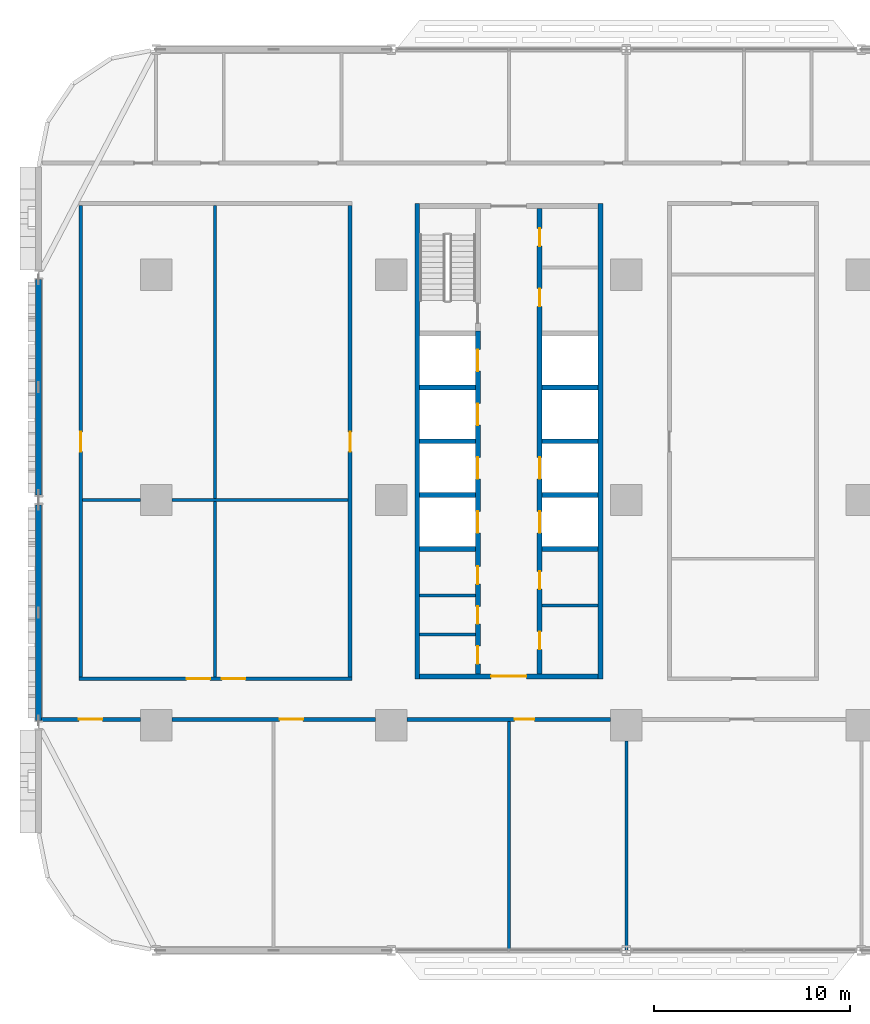
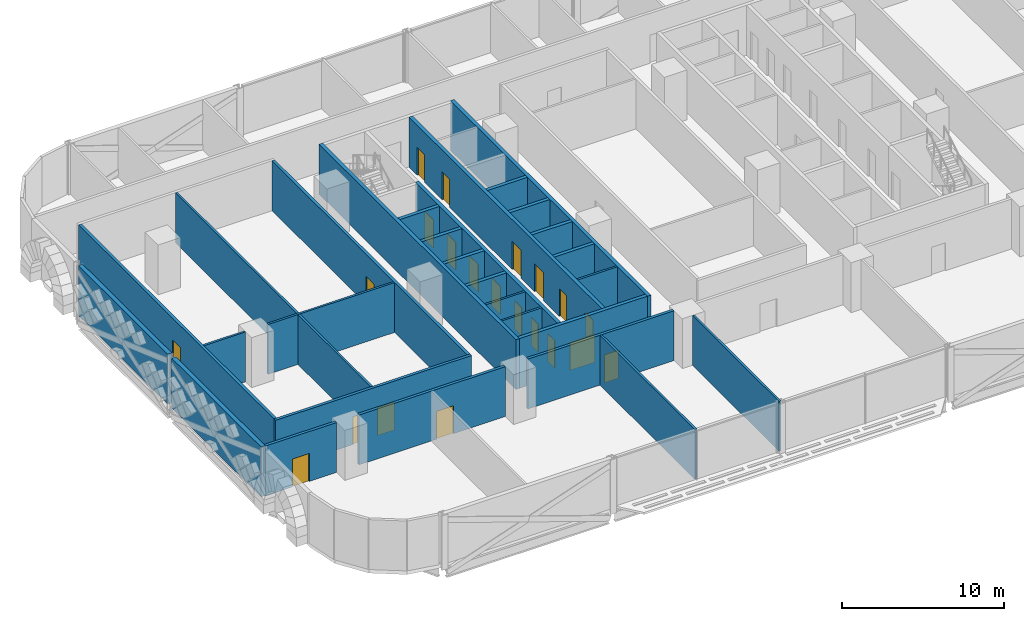
# One storey, part 10 of 29: 29 walls, 21 doors, 21 openings.
"""IFC4 building model written with IfcOpenShell, lengths in metres."""

from ifc_helpers import new_model, si_unit, direction, frame, frame_2d, origin, place, context, subcontext, project, spatial, rectangle, extrude, material, layer, layer_set, type_object, element, fill, save


model = new_model("IFC4")

# Units and contexts
model_context = context("Model", 3, precision=1e-05, world=origin(), true_north=direction((0.0, 1.0)))
body_context = subcontext(model_context, "Body", "Model", "MODEL_VIEW")
ifc_project = project(units=[si_unit("LENGTHUNIT", "METRE"), si_unit("AREAUNIT", "SQUARE_METRE"), si_unit("VOLUMEUNIT", "CUBIC_METRE"), si_unit("PLANEANGLEUNIT", "RADIAN"), si_unit("MASSUNIT", "GRAM", prefix="KILO")], contexts=[model_context])

# Site, building, storey
site_placement = place(None, origin())
site = spatial("IfcSite", under=ifc_project, at=site_placement, CompositionType="ELEMENT")
building_placement = place(site_placement, origin())
building = spatial("IfcBuilding", under=site, at=building_placement, Name="Mahtab Terrace Research Tower", CompositionType="ELEMENT")
storey_placement = place(building_placement, frame((0.0, 0.0, 37.300048828125)))
storey = spatial("IfcBuildingStorey", under=building, at=storey_placement, Name="L08", CompositionType="ELEMENT", Elevation=37.300048828125)

# Walls
ifc_material_1 = material(Name="Gypsum board partition")
ifc_layer_1 = layer(ifc_material_1, 0.14990234375)
ifc_layer_set_1 = layer_set([ifc_layer_1], Name="Core partition 150")
wall_type_1 = type_object("IfcWallType", Name="Core partition 150", PredefinedType="PARTITIONING", material=ifc_layer_set_1)
for number, where, z_axis, x_axis, name in (
    (1, (-28.550048828125, -6.875, 0.0), (0.0, 0.0, 1.0), (1.0, 0.0, 0.0), "Core wall A pWS-988"),
    (2, (-28.550048828125, -4.875, 0.0), (0.0, 0.0, 1.0), (1.0, 0.0, 0.0), "Core wall A pWS-788"),
    (3, (-22.300048828125, -5.39501953125, 0.0), (0.0, 0.0, 1.0), (1.0, 0.0, 0.0), "Core wall A pES-840"),
):
    element("IfcWall", number, at=place(storey_placement, frame(where, z_axis=z_axis, x_axis=x_axis)), inside=storey, type_object=wall_type_1, Name=name, PredefinedType="PARTITIONING", context=body_context, shape_type="SweptSolid", body=[
        extrude(rectangle(XDim=2.85009765625, YDim=0.14990234375, at=frame_2d((1.425048828125, 0.0))), origin(), (0.0, 0.0, 1.0), 3.75),
    ])
ifc_material_2 = material(Name="Concrete C70/85", Category="concrete")
ifc_layer_2 = layer(ifc_material_2, 0.25)
ifc_layer_set_2 = layer_set([ifc_layer_2], Name="Core wall 250")
wall_type_2 = type_object("IfcWallType", Name="Core wall 250", PredefinedType="SOLIDWALL", material=ifc_layer_set_2)
for number, where, z_axis, x_axis, name in (
    (4, (-28.675048828125, 15.125, 0.0), (0.0, 0.0, 1.0), (0.0, -1.0, 0.0), "Core wall A outerW"),
    (5, (-19.324951171875, -9.125, 0.0), (0.0, 0.0, 1.0), (0.0, 1.0, 0.0), "Core wall A outerE"),
):
    element("IfcWall", number, at=place(storey_placement, frame(where, z_axis=z_axis, x_axis=x_axis)), inside=storey, type_object=wall_type_2, Name=name, PredefinedType="SOLIDWALL", context=body_context, shape_type="SweptSolid", body=[
        extrude(rectangle(XDim=24.25, YDim=0.25, at=frame_2d((12.125, 0.0))), origin(), (0.0, 0.0, 1.0), 3.75),
    ])

# Wall, opening, door
wall_1_placement = place(storey_placement, frame((-19.449951171875, -9.0, 0.0), z_axis=(0.0, 0.0, 1.0), x_axis=(-1.0, 0.0, 0.0)))
wall_1 = element("IfcWall", 6, at=wall_1_placement, inside=storey, type_object=wall_type_2, Name="Core wall A endS", PredefinedType="SOLIDWALL", context=body_context, shape_type="SweptSolid", body=[
    extrude(rectangle(XDim=9.10009765625, YDim=0.25, at=frame_2d((4.550048828125, 0.0))), origin(), (0.0, 0.0, 1.0), 3.75),
])
opening_1_placement = place(wall_1_placement, frame((3.64990234375, 0.0, 0.0)))
opening_1 = element("IfcOpeningElement", 7, at=opening_1_placement, cuts=wall_1, Name="Opening A-S1", PredefinedType="OPENING", context=body_context, shape_type="SweptSolid", body=[
    extrude(rectangle(XDim=1.800048828125, YDim=2.10009765625, at=frame_2d((0.89990234375, 1.050048828125))), frame((0.0, 0.135009765625, 0.0), z_axis=(0.0, -1.0, 0.0), x_axis=(1.0, 0.0, 0.0)), (0.0, 0.0, 1.0), 0.27001953125),
])
ifc_material_3 = material(Name="Steel fire door", Category="steel")
door_type_1 = type_object("IfcDoorType", Name="Lobby double door 1800x2100 1 HR", OperationType="DOUBLE_DOOR_SINGLE_SWING", PredefinedType="DOOR", material=ifc_material_3)
door_1_placement = place(opening_1_placement, origin())
door_1 = element("IfcDoor", 8, at=door_1_placement, inside=storey, type_object=door_type_1, Name="Core entrance door A S", OperationType="DOUBLE_DOOR_SINGLE_SWING", OverallHeight=2.10009765625, OverallWidth=1.800048828125, PredefinedType="DOOR", context=body_context, shape_type="SweptSolid", body=[
    extrude(rectangle(XDim=1.800048828125, YDim=2.10009765625, at=frame_2d((0.89990234375, 1.050048828125))), frame((0.0, 0.02490234375, 0.0), z_axis=(0.0, -1.0, 0.0), x_axis=(1.0, 0.0, 0.0)), (0.0, 0.0, 1.0), 0.050048828125),
])
fill(opening_1, door_1)

# Wall, openings, doors
wall_2_placement = place(storey_placement, frame((-25.574951171875, -8.875, 0.0), z_axis=(0.0, 0.0, 1.0), x_axis=(0.0, 1.0, 0.0)))
wall_2 = element("IfcWall", 9, at=wall_2_placement, inside=storey, type_object=wall_type_2, Name="Core wall A innerWSL", PredefinedType="SOLIDWALL", context=body_context, shape_type="SweptSolid", body=[
    extrude(rectangle(XDim=17.5, YDim=0.25, at=frame_2d((8.75, 0.0))), origin(), (0.0, 0.0, 1.0), 3.75),
])
opening_2_placement = place(wall_2_placement, frame((7.199951171875, 0.0, 0.0)))
opening_2 = element("IfcOpeningElement", 10, at=opening_2_placement, cuts=wall_2, Name="Opening LD01-L08", PredefinedType="OPENING", context=body_context, shape_type="SweptSolid", body=[
    extrude(rectangle(XDim=1.10009765625, YDim=2.10009765625, at=frame_2d((0.550048828125, 1.050048828125))), frame((0.0, 0.135009765625, 0.0), z_axis=(0.0, -1.0, 0.0), x_axis=(1.0, 0.0, 0.0)), (0.0, 0.0, 1.0), 0.27001953125),
])
opening_3_placement = place(wall_2_placement, frame((9.949951171875, 0.0, 0.0)))
opening_3 = element("IfcOpeningElement", 11, at=opening_3_placement, cuts=wall_2, Name="Opening LD02-L08", PredefinedType="OPENING", context=body_context, shape_type="SweptSolid", body=[
    extrude(rectangle(XDim=1.10009765625, YDim=2.10009765625, at=frame_2d((0.550048828125, 1.050048828125))), frame((0.0, 0.135009765625, 0.0), z_axis=(0.0, -1.0, 0.0), x_axis=(1.0, 0.0, 0.0)), (0.0, 0.0, 1.0), 0.27001953125),
])
opening_4_placement = place(wall_2_placement, frame((12.699951171875, 0.0, 0.0)))
opening_4 = element("IfcOpeningElement", 12, at=opening_4_placement, cuts=wall_2, Name="Opening LD03-L08", PredefinedType="OPENING", context=body_context, shape_type="SweptSolid", body=[
    extrude(rectangle(XDim=1.10009765625, YDim=2.10009765625, at=frame_2d((0.550048828125, 1.050048828125))), frame((0.0, 0.135009765625, 0.0), z_axis=(0.0, -1.0, 0.0), x_axis=(1.0, 0.0, 0.0)), (0.0, 0.0, 1.0), 0.27001953125),
])
opening_5_placement = place(wall_2_placement, frame((15.449951171875, 0.0, 0.0)))
opening_5 = element("IfcOpeningElement", 13, at=opening_5_placement, cuts=wall_2, Name="Opening LD04-L08", PredefinedType="OPENING", context=body_context, shape_type="SweptSolid", body=[
    extrude(rectangle(XDim=1.10009765625, YDim=2.10009765625, at=frame_2d((0.550048828125, 1.050048828125))), frame((0.0, 0.135009765625, 0.0), z_axis=(0.0, -1.0, 0.0), x_axis=(1.0, 0.0, 0.0)), (0.0, 0.0, 1.0), 0.27001953125),
])
opening_6_placement = place(wall_2_placement, frame((0.512451171875, 0.0, 0.0)))
opening_6 = element("IfcOpeningElement", 14, at=opening_6_placement, cuts=wall_2, Name="Opening A-R1", PredefinedType="OPENING", context=body_context, shape_type="SweptSolid", body=[
    extrude(rectangle(XDim=0.89990234375, YDim=2.10009765625, at=frame_2d((0.449951171875, 1.050048828125))), frame((0.0, 0.135009765625, 0.0), z_axis=(0.0, -1.0, 0.0), x_axis=(1.0, 0.0, 0.0)), (0.0, 0.0, 1.0), 0.27001953125),
])
opening_7_placement = place(wall_2_placement, frame((2.550048828125, 0.0, 0.0)))
opening_7 = element("IfcOpeningElement", 15, at=opening_7_placement, cuts=wall_2, Name="Opening A-R2", PredefinedType="OPENING", context=body_context, shape_type="SweptSolid", body=[
    extrude(rectangle(XDim=0.89990234375, YDim=2.10009765625, at=frame_2d((0.449951171875, 1.050048828125))), frame((0.0, 0.135009765625, 0.0), z_axis=(0.0, -1.0, 0.0), x_axis=(1.0, 0.0, 0.0)), (0.0, 0.0, 1.0), 0.27001953125),
])
opening_8_placement = place(wall_2_placement, frame((4.58740234375, 0.0, 0.0)))
opening_8 = element("IfcOpeningElement", 16, at=opening_8_placement, cuts=wall_2, Name="Opening A-R3", PredefinedType="OPENING", context=body_context, shape_type="SweptSolid", body=[
    extrude(rectangle(XDim=0.89990234375, YDim=2.10009765625, at=frame_2d((0.449951171875, 1.050048828125))), frame((0.0, 0.135009765625, 0.0), z_axis=(0.0, -1.0, 0.0), x_axis=(1.0, 0.0, 0.0)), (0.0, 0.0, 1.0), 0.27001953125),
])
ifc_material_4 = material(Name="Stainless steel AISI 304", Category="steel")
door_type_2 = type_object("IfcDoorType", Name="Landing door 1100x2100", OperationType="DOUBLE_DOOR_SLIDING", PredefinedType="DOOR", material=ifc_material_4)
door_2_placement = place(opening_2_placement, origin())
door_2 = element("IfcDoor", 17, at=door_2_placement, inside=storey, type_object=door_type_2, Name="Landing door LR1 L08", OperationType="DOUBLE_DOOR_SLIDING", OverallHeight=2.10009765625, OverallWidth=1.10009765625, PredefinedType="DOOR", context=body_context, shape_type="SweptSolid", body=[
    extrude(rectangle(XDim=1.10009765625, YDim=2.10009765625, at=frame_2d((0.550048828125, 1.050048828125))), frame((0.0, 0.02490234375, 0.0), z_axis=(0.0, -1.0, 0.0), x_axis=(1.0, 0.0, 0.0)), (0.0, 0.0, 1.0), 0.050048828125),
])
fill(opening_2, door_2)
door_3_placement = place(opening_3_placement, origin())
door_3 = element("IfcDoor", 18, at=door_3_placement, inside=storey, type_object=door_type_2, Name="Landing door LR2 L08", OperationType="DOUBLE_DOOR_SLIDING", OverallHeight=2.10009765625, OverallWidth=1.10009765625, PredefinedType="DOOR", context=body_context, shape_type="SweptSolid", body=[
    extrude(rectangle(XDim=1.10009765625, YDim=2.10009765625, at=frame_2d((0.550048828125, 1.050048828125))), frame((0.0, 0.02490234375, 0.0), z_axis=(0.0, -1.0, 0.0), x_axis=(1.0, 0.0, 0.0)), (0.0, 0.0, 1.0), 0.050048828125),
])
fill(opening_3, door_3)
door_4_placement = place(opening_4_placement, origin())
door_4 = element("IfcDoor", 19, at=door_4_placement, inside=storey, type_object=door_type_2, Name="Landing door LR3 L08", OperationType="DOUBLE_DOOR_SLIDING", OverallHeight=2.10009765625, OverallWidth=1.10009765625, PredefinedType="DOOR", context=body_context, shape_type="SweptSolid", body=[
    extrude(rectangle(XDim=1.10009765625, YDim=2.10009765625, at=frame_2d((0.550048828125, 1.050048828125))), frame((0.0, 0.02490234375, 0.0), z_axis=(0.0, -1.0, 0.0), x_axis=(1.0, 0.0, 0.0)), (0.0, 0.0, 1.0), 0.050048828125),
])
fill(opening_4, door_4)
door_5_placement = place(opening_5_placement, origin())
door_5 = element("IfcDoor", 20, at=door_5_placement, inside=storey, type_object=door_type_2, Name="Landing door LR4 L08", OperationType="DOUBLE_DOOR_SLIDING", OverallHeight=2.10009765625, OverallWidth=1.10009765625, PredefinedType="DOOR", context=body_context, shape_type="SweptSolid", body=[
    extrude(rectangle(XDim=1.10009765625, YDim=2.10009765625, at=frame_2d((0.550048828125, 1.050048828125))), frame((0.0, 0.02490234375, 0.0), z_axis=(0.0, -1.0, 0.0), x_axis=(1.0, 0.0, 0.0)), (0.0, 0.0, 1.0), 0.050048828125),
])
fill(opening_5, door_5)
door_type_3 = type_object("IfcDoorType", Name="Room door 900x2100 1 HR", OperationType="NOTDEFINED", PredefinedType="DOOR", material=ifc_material_3)
door_6_placement = place(opening_6_placement, origin())
door_6 = element("IfcDoor", 21, at=door_6_placement, inside=storey, type_object=door_type_3, Name="Male WC door", OperationType="SINGLE_SWING_LEFT", OverallHeight=2.10009765625, OverallWidth=0.89990234375, PredefinedType="DOOR", context=body_context, shape_type="SweptSolid", body=[
    extrude(rectangle(XDim=0.89990234375, YDim=2.10009765625, at=frame_2d((0.449951171875, 1.050048828125))), frame((0.0, 0.02490234375, 0.0), z_axis=(0.0, -1.0, 0.0), x_axis=(1.0, 0.0, 0.0)), (0.0, 0.0, 1.0), 0.050048828125),
])
fill(opening_6, door_6)
door_7_placement = place(opening_7_placement, origin())
door_7 = element("IfcDoor", 22, at=door_7_placement, inside=storey, type_object=door_type_3, Name="Female WC door", OperationType="SINGLE_SWING_RIGHT", OverallHeight=2.10009765625, OverallWidth=0.89990234375, PredefinedType="DOOR", context=body_context, shape_type="SweptSolid", body=[
    extrude(rectangle(XDim=0.89990234375, YDim=2.10009765625, at=frame_2d((0.449951171875, 1.050048828125))), frame((0.0, 0.02490234375, 0.0), z_axis=(0.0, -1.0, 0.0), x_axis=(1.0, 0.0, 0.0)), (0.0, 0.0, 1.0), 0.050048828125),
])
fill(opening_7, door_7)
door_8_placement = place(opening_8_placement, origin())
door_8 = element("IfcDoor", 23, at=door_8_placement, inside=storey, type_object=door_type_3, Name="Accessible WC door", OperationType="SINGLE_SWING_LEFT", OverallHeight=2.10009765625, OverallWidth=0.89990234375, PredefinedType="DOOR", context=body_context, shape_type="SweptSolid", body=[
    extrude(rectangle(XDim=0.89990234375, YDim=2.10009765625, at=frame_2d((0.449951171875, 1.050048828125))), frame((0.0, 0.02490234375, 0.0), z_axis=(0.0, -1.0, 0.0), x_axis=(1.0, 0.0, 0.0)), (0.0, 0.0, 1.0), 0.050048828125),
])
fill(opening_8, door_8)

wall_3_placement = place(storey_placement, frame((-22.425048828125, 14.875, 0.0), z_axis=(0.0, 0.0, 1.0), x_axis=(0.0, -1.0, 0.0)))
wall_3 = element("IfcWall", 24, at=wall_3_placement, inside=storey, type_object=wall_type_2, Name="Core wall A innerESLN", PredefinedType="SOLIDWALL", context=body_context, shape_type="SweptSolid", body=[
    extrude(rectangle(XDim=23.75, YDim=0.25, at=frame_2d((11.875, 0.0))), origin(), (0.0, 0.0, 1.0), 3.75),
])
opening_9_placement = place(wall_3_placement, frame((15.449951171875, 0.0, 0.0)))
opening_9 = element("IfcOpeningElement", 25, at=opening_9_placement, cuts=wall_3, Name="Opening LD05-L08", PredefinedType="OPENING", context=body_context, shape_type="SweptSolid", body=[
    extrude(rectangle(XDim=1.10009765625, YDim=2.10009765625, at=frame_2d((0.550048828125, 1.050048828125))), frame((0.0, 0.135009765625, 0.0), z_axis=(0.0, -1.0, 0.0), x_axis=(1.0, 0.0, 0.0)), (0.0, 0.0, 1.0), 0.27001953125),
])
opening_10_placement = place(wall_3_placement, frame((12.699951171875, 0.0, 0.0)))
opening_10 = element("IfcOpeningElement", 26, at=opening_10_placement, cuts=wall_3, Name="Opening LD06-L08", PredefinedType="OPENING", context=body_context, shape_type="SweptSolid", body=[
    extrude(rectangle(XDim=1.10009765625, YDim=2.10009765625, at=frame_2d((0.550048828125, 1.050048828125))), frame((0.0, 0.135009765625, 0.0), z_axis=(0.0, -1.0, 0.0), x_axis=(1.0, 0.0, 0.0)), (0.0, 0.0, 1.0), 0.27001953125),
])
opening_11_placement = place(wall_3_placement, frame((21.597412109375, 0.0, 0.0)))
opening_11 = element("IfcOpeningElement", 27, at=opening_11_placement, cuts=wall_3, Name="Opening A-R4", PredefinedType="OPENING", context=body_context, shape_type="SweptSolid", body=[
    extrude(rectangle(XDim=0.89990234375, YDim=2.10009765625, at=frame_2d((0.449951171875, 1.050048828125))), frame((0.0, 0.135009765625, 0.0), z_axis=(0.0, -1.0, 0.0), x_axis=(1.0, 0.0, 0.0)), (0.0, 0.0, 1.0), 0.27001953125),
])
opening_12_placement = place(wall_3_placement, frame((18.5224609375, 0.0, 0.0)))
opening_12 = element("IfcOpeningElement", 28, at=opening_12_placement, cuts=wall_3, Name="Opening A-R5", PredefinedType="OPENING", context=body_context, shape_type="SweptSolid", body=[
    extrude(rectangle(XDim=0.89990234375, YDim=2.10009765625, at=frame_2d((0.449951171875, 1.050048828125))), frame((0.0, 0.135009765625, 0.0), z_axis=(0.0, -1.0, 0.0), x_axis=(1.0, 0.0, 0.0)), (0.0, 0.0, 1.0), 0.27001953125),
])
opening_13_placement = place(wall_3_placement, frame((4.08740234375, 0.0, 0.0)))
opening_13 = element("IfcOpeningElement", 29, at=opening_13_placement, cuts=wall_3, Name="Opening A-R6", PredefinedType="OPENING", context=body_context, shape_type="SweptSolid", body=[
    extrude(rectangle(XDim=0.89990234375, YDim=2.10009765625, at=frame_2d((0.449951171875, 1.050048828125))), frame((0.0, 0.135009765625, 0.0), z_axis=(0.0, -1.0, 0.0), x_axis=(1.0, 0.0, 0.0)), (0.0, 0.0, 1.0), 0.27001953125),
])
opening_14_placement = place(wall_3_placement, frame((1.012451171875, 0.0, 0.0)))
opening_14 = element("IfcOpeningElement", 30, at=opening_14_placement, cuts=wall_3, Name="Opening A-R7", PredefinedType="OPENING", context=body_context, shape_type="SweptSolid", body=[
    extrude(rectangle(XDim=0.89990234375, YDim=2.10009765625, at=frame_2d((0.449951171875, 1.050048828125))), frame((0.0, 0.135009765625, 0.0), z_axis=(0.0, -1.0, 0.0), x_axis=(1.0, 0.0, 0.0)), (0.0, 0.0, 1.0), 0.27001953125),
])
door_9_placement = place(opening_9_placement, origin())
door_9 = element("IfcDoor", 31, at=door_9_placement, inside=storey, type_object=door_type_2, Name="Landing door LR5 L08", OperationType="DOUBLE_DOOR_SLIDING", OverallHeight=2.10009765625, OverallWidth=1.10009765625, PredefinedType="DOOR", context=body_context, shape_type="SweptSolid", body=[
    extrude(rectangle(XDim=1.10009765625, YDim=2.10009765625, at=frame_2d((0.550048828125, 1.050048828125))), frame((0.0, 0.02490234375, 0.0), z_axis=(0.0, -1.0, 0.0), x_axis=(1.0, 0.0, 0.0)), (0.0, 0.0, 1.0), 0.050048828125),
])
fill(opening_9, door_9)
door_10_placement = place(opening_10_placement, origin())
door_10 = element("IfcDoor", 32, at=door_10_placement, inside=storey, type_object=door_type_2, Name="Landing door LR6 L08", OperationType="DOUBLE_DOOR_SLIDING", OverallHeight=2.10009765625, OverallWidth=1.10009765625, PredefinedType="DOOR", context=body_context, shape_type="SweptSolid", body=[
    extrude(rectangle(XDim=1.10009765625, YDim=2.10009765625, at=frame_2d((0.550048828125, 1.050048828125))), frame((0.0, 0.02490234375, 0.0), z_axis=(0.0, -1.0, 0.0), x_axis=(1.0, 0.0, 0.0)), (0.0, 0.0, 1.0), 0.050048828125),
])
fill(opening_10, door_10)
door_11_placement = place(opening_11_placement, origin())
door_11 = element("IfcDoor", 33, at=door_11_placement, inside=storey, type_object=door_type_3, Name="Pantry door", OperationType="SINGLE_SWING_RIGHT", OverallHeight=2.10009765625, OverallWidth=0.89990234375, PredefinedType="DOOR", context=body_context, shape_type="SweptSolid", body=[
    extrude(rectangle(XDim=0.89990234375, YDim=2.10009765625, at=frame_2d((0.449951171875, 1.050048828125))), frame((0.0, 0.02490234375, 0.0), z_axis=(0.0, -1.0, 0.0), x_axis=(1.0, 0.0, 0.0)), (0.0, 0.0, 1.0), 0.050048828125),
])
fill(opening_11, door_11)
door_12_placement = place(opening_12_placement, origin())
door_12 = element("IfcDoor", 34, at=door_12_placement, inside=storey, type_object=door_type_3, Name="Linen store door", OperationType="SINGLE_SWING_LEFT", OverallHeight=2.10009765625, OverallWidth=0.89990234375, PredefinedType="DOOR", context=body_context, shape_type="SweptSolid", body=[
    extrude(rectangle(XDim=0.89990234375, YDim=2.10009765625, at=frame_2d((0.449951171875, 1.050048828125))), frame((0.0, 0.02490234375, 0.0), z_axis=(0.0, -1.0, 0.0), x_axis=(1.0, 0.0, 0.0)), (0.0, 0.0, 1.0), 0.050048828125),
])
fill(opening_12, door_12)
door_13_placement = place(opening_13_placement, origin())
door_13 = element("IfcDoor", 35, at=door_13_placement, inside=storey, type_object=door_type_3, Name="Housekeeping store door", OperationType="SINGLE_SWING_RIGHT", OverallHeight=2.10009765625, OverallWidth=0.89990234375, PredefinedType="DOOR", context=body_context, shape_type="SweptSolid", body=[
    extrude(rectangle(XDim=0.89990234375, YDim=2.10009765625, at=frame_2d((0.449951171875, 1.050048828125))), frame((0.0, 0.02490234375, 0.0), z_axis=(0.0, -1.0, 0.0), x_axis=(1.0, 0.0, 0.0)), (0.0, 0.0, 1.0), 0.050048828125),
])
fill(opening_13, door_13)
door_14_placement = place(opening_14_placement, origin())
door_14 = element("IfcDoor", 36, at=door_14_placement, inside=storey, type_object=door_type_3, Name="Electrical riser room door", OperationType="SINGLE_SWING_LEFT", OverallHeight=2.10009765625, OverallWidth=0.89990234375, PredefinedType="DOOR", context=body_context, shape_type="SweptSolid", body=[
    extrude(rectangle(XDim=0.89990234375, YDim=2.10009765625, at=frame_2d((0.449951171875, 1.050048828125))), frame((0.0, 0.02490234375, 0.0), z_axis=(0.0, -1.0, 0.0), x_axis=(1.0, 0.0, 0.0)), (0.0, 0.0, 1.0), 0.050048828125),
])
fill(opening_14, door_14)

# Walls
for number, where, z_axis, x_axis, name in (
    (37, (-28.550048828125, -2.5, 0.0), (0.0, 0.0, 1.0), (1.0, 0.0, 0.0), "Core wall A divW0"),
    (38, (-28.550048828125, 0.25, 0.0), (0.0, 0.0, 1.0), (1.0, 0.0, 0.0), "Core wall A divW1"),
    (39, (-28.550048828125, 3.0, 0.0), (0.0, 0.0, 1.0), (1.0, 0.0, 0.0), "Core wall A divW2"),
    (40, (-28.550048828125, 5.75, 0.0), (0.0, 0.0, 1.0), (1.0, 0.0, 0.0), "Core wall A divW3"),
    (41, (-22.300048828125, -2.5, 0.0), (0.0, 0.0, 1.0), (1.0, 0.0, 0.0), "Core wall A divE0"),
    (42, (-22.300048828125, 0.25, 0.0), (0.0, 0.0, 1.0), (1.0, 0.0, 0.0), "Core wall A divE1"),
    (43, (-22.300048828125, 3.0, 0.0), (0.0, 0.0, 1.0), (1.0, 0.0, 0.0), "Core wall A divE2"),
    (44, (-22.300048828125, 5.75, 0.0), (0.0, 0.0, 1.0), (1.0, 0.0, 0.0), "Core wall A divE3"),
):
    element("IfcWall", number, at=place(storey_placement, frame(where, z_axis=z_axis, x_axis=x_axis)), inside=storey, type_object=wall_type_2, Name=name, PredefinedType="SOLIDWALL", context=body_context, shape_type="SweptSolid", body=[
        extrude(rectangle(XDim=2.85009765625, YDim=0.25, at=frame_2d((1.425048828125, 0.0))), origin(), (0.0, 0.0, 1.0), 3.75),
    ])
ifc_material_5 = material(Name="Black aluminium cladding panel", Category="aluminium")
ifc_layer_3 = layer(ifc_material_5, 0.300048828125)
ifc_layer_set_3 = layer_set([ifc_layer_3], Name="Opaque facade wall 300")
wall_type_3 = type_object("IfcWallType", Name="Opaque facade wall 300", PredefinedType="NOTDEFINED", material=ifc_layer_set_3)
for number, where, z_axis, x_axis, name in (
    (45, (-48.0, 11.2509765625, 0.0), (0.0, 0.0, 1.0), (0.0, -1.0, 0.0), "Opaque facade wall L08 W15"),
    (46, (-48.0, -0.2490234375, 0.0), (0.0, 0.0, 1.0), (0.0, -1.0, 0.0), "Opaque facade wall L08 W16"),
):
    element("IfcWall", number, at=place(storey_placement, frame(where, z_axis=z_axis, x_axis=x_axis)), inside=storey, type_object=wall_type_3, Name=name, PredefinedType="NOTDEFINED", context=body_context, shape_type="SweptSolid", body=[
        extrude(rectangle(XDim=11.001953125, YDim=0.300048828125, at=frame_2d((5.5009765625, 0.0))), origin(), (0.0, 0.0, 1.0), 3.75),
    ])

# Wall, opening, door
ifc_material_6 = material(Name="Gypsum board corridor wall on steel studs", Category="steel")
ifc_layer_4 = layer(ifc_material_6, 0.199951171875)
ifc_layer_set_4 = layer_set([ifc_layer_4], Name="WALL CORRIDOR 200")
wall_type_4 = type_object("IfcWallType", Name="WALL CORRIDOR 200", PredefinedType="PARTITIONING", material=ifc_layer_set_4)
wall_4_placement = place(storey_placement, frame((-47.85009765625, -11.199951171875, 0.0), z_axis=(0.0, 0.0, 1.0), x_axis=(1.0, 0.0, 0.0)))
wall_4 = element("IfcWall", 47, at=wall_4_placement, inside=storey, type_object=wall_type_4, Name="L08-W001", PredefinedType="PARTITIONING", context=body_context, shape_type="SweptSolid", body=[
    extrude(rectangle(XDim=5.050048828125, YDim=0.199951171875, at=frame_2d((2.52490234375, 0.0))), origin(), (0.0, 0.0, 1.0), 3.75),
])
opening_15_placement = place(wall_4_placement, frame((1.89990234375, 0.0, 0.0)))
opening_15 = element("IfcOpeningElement", 48, at=opening_15_placement, cuts=wall_4, Name="Opening L08-101", PredefinedType="OPENING", context=body_context, shape_type="SweptSolid", body=[
    extrude(rectangle(XDim=1.199951171875, YDim=2.10009765625, at=frame_2d((0.60009765625, 1.050048828125))), frame((0.0, 0.10986328125, 0.0), z_axis=(0.0, -1.0, 0.0), x_axis=(1.0, 0.0, 0.0)), (0.0, 0.0, 1.0), 0.219970703125),
])
ifc_material_7 = material(Name="Timber door leaf in steel frame", Category="steel")
door_type_4 = type_object("IfcDoorType", Name="DOOR 1200X2100 FD30S", OperationType="SINGLE_SWING_LEFT", PredefinedType="DOOR", material=ifc_material_7)
door_15_placement = place(opening_15_placement, origin())
door_15 = element("IfcDoor", 49, at=door_15_placement, inside=storey, type_object=door_type_4, Name="Door L08-101", OperationType="SINGLE_SWING_RIGHT", OverallHeight=2.10009765625, OverallWidth=1.199951171875, PredefinedType="DOOR", context=body_context, shape_type="SweptSolid", body=[
    extrude(rectangle(XDim=1.199951171875, YDim=2.10009765625, at=frame_2d((0.60009765625, 1.050048828125))), frame((0.0, 0.02490234375, 0.0), z_axis=(0.0, -1.0, 0.0), x_axis=(1.0, 0.0, 0.0)), (0.0, 0.0, 1.0), 0.050048828125),
])
fill(opening_15, door_15)

wall_5_placement = place(storey_placement, frame((-41.199951171875, -11.199951171875, 0.0), z_axis=(0.0, 0.0, 1.0), x_axis=(1.0, 0.0, 0.0)))
wall_5 = element("IfcWall", 50, at=wall_5_placement, inside=storey, type_object=wall_type_4, Name="L08-W002", PredefinedType="PARTITIONING", context=body_context, shape_type="SweptSolid", body=[
    extrude(rectangle(XDim=10.39990234375, YDim=0.199951171875, at=frame_2d((5.199951171875, 0.0))), origin(), (0.0, 0.0, 1.0), 3.75),
])
opening_16_placement = place(wall_5_placement, frame((5.5, 0.0, 0.0)))
opening_16 = element("IfcOpeningElement", 51, at=opening_16_placement, cuts=wall_5, Name="Opening L08-102", PredefinedType="OPENING", context=body_context, shape_type="SweptSolid", body=[
    extrude(rectangle(XDim=1.199951171875, YDim=2.10009765625, at=frame_2d((0.60009765625, 1.050048828125))), frame((0.0, 0.10986328125, 0.0), z_axis=(0.0, -1.0, 0.0), x_axis=(1.0, 0.0, 0.0)), (0.0, 0.0, 1.0), 0.219970703125),
])
door_16_placement = place(opening_16_placement, origin())
door_16 = element("IfcDoor", 52, at=door_16_placement, inside=storey, type_object=door_type_4, Name="Door L08-102", OperationType="SINGLE_SWING_LEFT", OverallHeight=2.10009765625, OverallWidth=1.199951171875, PredefinedType="DOOR", context=body_context, shape_type="SweptSolid", body=[
    extrude(rectangle(XDim=1.199951171875, YDim=2.10009765625, at=frame_2d((0.60009765625, 1.050048828125))), frame((0.0, 0.02490234375, 0.0), z_axis=(0.0, -1.0, 0.0), x_axis=(1.0, 0.0, 0.0)), (0.0, 0.0, 1.0), 0.050048828125),
])
fill(opening_16, door_16)

wall_6_placement = place(storey_placement, frame((-29.199951171875, -11.199951171875, 0.0), z_axis=(0.0, 0.0, 1.0), x_axis=(1.0, 0.0, 0.0)))
wall_6 = element("IfcWall", 53, at=wall_6_placement, inside=storey, type_object=wall_type_4, Name="L08-W003", PredefinedType="PARTITIONING", context=body_context, shape_type="SweptSolid", body=[
    extrude(rectangle(XDim=10.39990234375, YDim=0.199951171875, at=frame_2d((5.199951171875, 0.0))), origin(), (0.0, 0.0, 1.0), 3.75),
])
opening_17_placement = place(wall_6_placement, frame((5.5, 0.0, 0.0)))
opening_17 = element("IfcOpeningElement", 54, at=opening_17_placement, cuts=wall_6, Name="Opening L08-103", PredefinedType="OPENING", context=body_context, shape_type="SweptSolid", body=[
    extrude(rectangle(XDim=1.0, YDim=2.10009765625, at=frame_2d((0.5, 1.050048828125))), frame((0.0, 0.10986328125, 0.0), z_axis=(0.0, -1.0, 0.0), x_axis=(1.0, 0.0, 0.0)), (0.0, 0.0, 1.0), 0.219970703125),
])
door_type_5 = type_object("IfcDoorType", Name="DOOR 1000X2100 FD30S", OperationType="SINGLE_SWING_LEFT", PredefinedType="DOOR", material=ifc_material_7)
door_17_placement = place(opening_17_placement, origin())
door_17 = element("IfcDoor", 55, at=door_17_placement, inside=storey, type_object=door_type_5, Name="Door L08-103", OperationType="SINGLE_SWING_LEFT", OverallHeight=2.10009765625, OverallWidth=1.0, PredefinedType="DOOR", context=body_context, shape_type="SweptSolid", body=[
    extrude(rectangle(XDim=1.0, YDim=2.10009765625, at=frame_2d((0.5, 1.050048828125))), frame((0.0, 0.02490234375, 0.0), z_axis=(0.0, -1.0, 0.0), x_axis=(1.0, 0.0, 0.0)), (0.0, 0.0, 1.0), 0.050048828125),
])
fill(opening_17, door_17)

# Wall, openings, doors
wall_7_placement = place(storey_placement, frame((-45.949951171875, -9.125, 0.0), z_axis=(0.0, 0.0, 1.0), x_axis=(1.0, 0.0, 0.0)))
wall_7 = element("IfcWall", 56, at=wall_7_placement, inside=storey, type_object=wall_type_4, Name="L08-W010", PredefinedType="PARTITIONING", context=body_context, shape_type="SweptSolid", body=[
    extrude(rectangle(XDim=13.949951171875, YDim=0.199951171875, at=frame_2d((6.97509765625, 0.0))), origin(), (0.0, 0.0, 1.0), 3.75),
])
opening_18_placement = place(wall_7_placement, frame((5.5, 0.0, 0.0)))
opening_18 = element("IfcOpeningElement", 57, at=opening_18_placement, cuts=wall_7, Name="Opening L08-114", PredefinedType="OPENING", context=body_context, shape_type="SweptSolid", body=[
    extrude(rectangle(XDim=1.199951171875, YDim=2.10009765625, at=frame_2d((0.60009765625, 1.050048828125))), frame((0.0, 0.10986328125, 0.0), z_axis=(0.0, -1.0, 0.0), x_axis=(1.0, 0.0, 0.0)), (0.0, 0.0, 1.0), 0.219970703125),
])
opening_19_placement = place(wall_7_placement, frame((7.300048828125, 0.0, 0.0)))
opening_19 = element("IfcOpeningElement", 58, at=opening_19_placement, cuts=wall_7, Name="Opening L08-115", PredefinedType="OPENING", context=body_context, shape_type="SweptSolid", body=[
    extrude(rectangle(XDim=1.199951171875, YDim=2.10009765625, at=frame_2d((0.60009765625, 1.050048828125))), frame((0.0, 0.10986328125, 0.0), z_axis=(0.0, -1.0, 0.0), x_axis=(1.0, 0.0, 0.0)), (0.0, 0.0, 1.0), 0.219970703125),
])
door_18_placement = place(opening_18_placement, origin())
door_18 = element("IfcDoor", 59, at=door_18_placement, inside=storey, type_object=door_type_4, Name="Door L08-114", OperationType="SINGLE_SWING_LEFT", OverallHeight=2.10009765625, OverallWidth=1.199951171875, PredefinedType="DOOR", context=body_context, shape_type="SweptSolid", body=[
    extrude(rectangle(XDim=1.199951171875, YDim=2.10009765625, at=frame_2d((0.60009765625, 1.050048828125))), frame((0.0, 0.02490234375, 0.0), z_axis=(0.0, -1.0, 0.0), x_axis=(1.0, 0.0, 0.0)), (0.0, 0.0, 1.0), 0.050048828125),
])
fill(opening_18, door_18)
door_19_placement = place(opening_19_placement, origin())
door_19 = element("IfcDoor", 60, at=door_19_placement, inside=storey, type_object=door_type_4, Name="Door L08-115", OperationType="SINGLE_SWING_RIGHT", OverallHeight=2.10009765625, OverallWidth=1.199951171875, PredefinedType="DOOR", context=body_context, shape_type="SweptSolid", body=[
    extrude(rectangle(XDim=1.199951171875, YDim=2.10009765625, at=frame_2d((0.60009765625, 1.050048828125))), frame((0.0, 0.02490234375, 0.0), z_axis=(0.0, -1.0, 0.0), x_axis=(1.0, 0.0, 0.0)), (0.0, 0.0, 1.0), 0.050048828125),
])
fill(opening_19, door_19)

# Wall, opening, door
wall_8_placement = place(storey_placement, frame((-45.85009765625, -9.02490234375, 0.0), z_axis=(0.0, 0.0, 1.0), x_axis=(0.0, 1.0, 0.0)))
wall_8 = element("IfcWall", 61, at=wall_8_placement, inside=storey, type_object=wall_type_4, Name="L08-W027", PredefinedType="PARTITIONING", context=body_context, shape_type="SweptSolid", body=[
    extrude(rectangle(XDim=24.0498046875, YDim=0.199951171875, at=frame_2d((12.02490234375, 0.0))), origin(), (0.0, 0.0, 1.0), 3.75),
])
opening_20_placement = place(wall_8_placement, frame((11.5, 0.0, 0.0)))
opening_20 = element("IfcOpeningElement", 62, at=opening_20_placement, cuts=wall_8, Name="Opening L08-120", PredefinedType="OPENING", context=body_context, shape_type="SweptSolid", body=[
    extrude(rectangle(XDim=1.0, YDim=2.10009765625, at=frame_2d((0.5, 1.050048828125))), frame((0.0, 0.10986328125, 0.0), z_axis=(0.0, -1.0, 0.0), x_axis=(1.0, 0.0, 0.0)), (0.0, 0.0, 1.0), 0.219970703125),
])
door_20_placement = place(opening_20_placement, origin())
door_20 = element("IfcDoor", 63, at=door_20_placement, inside=storey, type_object=door_type_5, Name="Door L08-120", OperationType="SINGLE_SWING_RIGHT", OverallHeight=2.10009765625, OverallWidth=1.0, PredefinedType="DOOR", context=body_context, shape_type="SweptSolid", body=[
    extrude(rectangle(XDim=1.0, YDim=2.10009765625, at=frame_2d((0.5, 1.050048828125))), frame((0.0, 0.02490234375, 0.0), z_axis=(0.0, -1.0, 0.0), x_axis=(1.0, 0.0, 0.0)), (0.0, 0.0, 1.0), 0.050048828125),
])
fill(opening_20, door_20)

wall_9_placement = place(storey_placement, frame((-32.10009765625, -9.02490234375, 0.0), z_axis=(0.0, 0.0, 1.0), x_axis=(0.0, 1.0, 0.0)))
wall_9 = element("IfcWall", 64, at=wall_9_placement, inside=storey, type_object=wall_type_4, Name="L08-W033", PredefinedType="PARTITIONING", context=body_context, shape_type="SweptSolid", body=[
    extrude(rectangle(XDim=24.0498046875, YDim=0.199951171875, at=frame_2d((12.02490234375, 0.0))), origin(), (0.0, 0.0, 1.0), 3.75),
])
opening_21_placement = place(wall_9_placement, frame((11.5, 0.0, 0.0)))
opening_21 = element("IfcOpeningElement", 65, at=opening_21_placement, cuts=wall_9, Name="Opening L08-121", PredefinedType="OPENING", context=body_context, shape_type="SweptSolid", body=[
    extrude(rectangle(XDim=1.0, YDim=2.10009765625, at=frame_2d((0.5, 1.050048828125))), frame((0.0, 0.10986328125, 0.0), z_axis=(0.0, -1.0, 0.0), x_axis=(1.0, 0.0, 0.0)), (0.0, 0.0, 1.0), 0.219970703125),
])
door_21_placement = place(opening_21_placement, origin())
door_21 = element("IfcDoor", 66, at=door_21_placement, inside=storey, type_object=door_type_5, Name="Door L08-121", OperationType="SINGLE_SWING_LEFT", OverallHeight=2.10009765625, OverallWidth=1.0, PredefinedType="DOOR", context=body_context, shape_type="SweptSolid", body=[
    extrude(rectangle(XDim=1.0, YDim=2.10009765625, at=frame_2d((0.5, 1.050048828125))), frame((0.0, 0.02490234375, 0.0), z_axis=(0.0, -1.0, 0.0), x_axis=(1.0, 0.0, 0.0)), (0.0, 0.0, 1.0), 0.050048828125),
])
fill(opening_21, door_21)

# Walls
ifc_material_8 = material(Name="Gypsum board partition on steel studs", Category="steel")
ifc_layer_5 = layer(ifc_material_8, 0.14990234375)
ifc_layer_set_5 = layer_set([ifc_layer_5], Name="WALL PARTITION 150")
wall_type_5 = type_object("IfcWallType", Name="WALL PARTITION 150", PredefinedType="PARTITIONING", material=ifc_layer_set_5)
wall_10_placement = place(storey_placement, frame((-45.75, 0.0, 0.0), z_axis=(0.0, 0.0, 1.0), x_axis=(1.0, 0.0, 0.0)))
element("IfcWall", 67, at=wall_10_placement, inside=storey, type_object=wall_type_5, Name="L08-W016", PredefinedType="PARTITIONING", context=body_context, shape_type="SweptSolid", body=[
    extrude(rectangle(XDim=2.949951171875, YDim=0.14990234375, at=frame_2d((1.47509765625, 0.0))), origin(), (0.0, 0.0, 1.0), 3.75),
])
wall_11_placement = place(storey_placement, frame((-41.199951171875, 0.0, 0.0), z_axis=(0.0, 0.0, 1.0), x_axis=(1.0, 0.0, 0.0)))
element("IfcWall", 68, at=wall_11_placement, inside=storey, type_object=wall_type_5, Name="L08-W017", PredefinedType="PARTITIONING", context=body_context, shape_type="SweptSolid", body=[
    extrude(rectangle(XDim=9.0, YDim=0.14990234375, at=frame_2d((4.5, 0.0))), origin(), (0.0, 0.0, 1.0), 3.75),
])
wall_12_placement = place(storey_placement, frame((-39.0, -9.02490234375, 0.0), z_axis=(0.0, 0.0, 1.0), x_axis=(0.0, 1.0, 0.0)))
element("IfcWall", 69, at=wall_12_placement, inside=storey, type_object=wall_type_5, Name="L08-W029", PredefinedType="PARTITIONING", context=body_context, shape_type="SweptSolid", body=[
    extrude(rectangle(XDim=24.0498046875, YDim=0.14990234375, at=frame_2d((12.02490234375, 0.0))), origin(), (0.0, 0.0, 1.0), 3.75),
])
wall_13_placement = place(storey_placement, frame((-24.0, -22.97509765625, 0.0), z_axis=(0.0, 0.0, 1.0), x_axis=(0.0, 1.0, 0.0)))
element("IfcWall", 70, at=wall_13_placement, inside=storey, type_object=wall_type_5, Name="L08-W034", PredefinedType="PARTITIONING", context=body_context, shape_type="SweptSolid", body=[
    extrude(rectangle(XDim=11.675048828125, YDim=0.14990234375, at=frame_2d((5.83740234375, 0.0))), origin(), (0.0, 0.0, 1.0), 3.75),
])
wall_14_placement = place(storey_placement, frame((-18.0, -22.97509765625, 0.0), z_axis=(0.0, 0.0, 1.0), x_axis=(0.0, 1.0, 0.0)))
element("IfcWall", 71, at=wall_14_placement, inside=storey, type_object=wall_type_5, Name="L08-W036", PredefinedType="PARTITIONING", context=body_context, shape_type="SweptSolid", body=[
    extrude(rectangle(XDim=10.675048828125, YDim=0.14990234375, at=frame_2d((5.33740234375, 0.0))), origin(), (0.0, 0.0, 1.0), 3.75),
])

save(model, "model.ifc")
